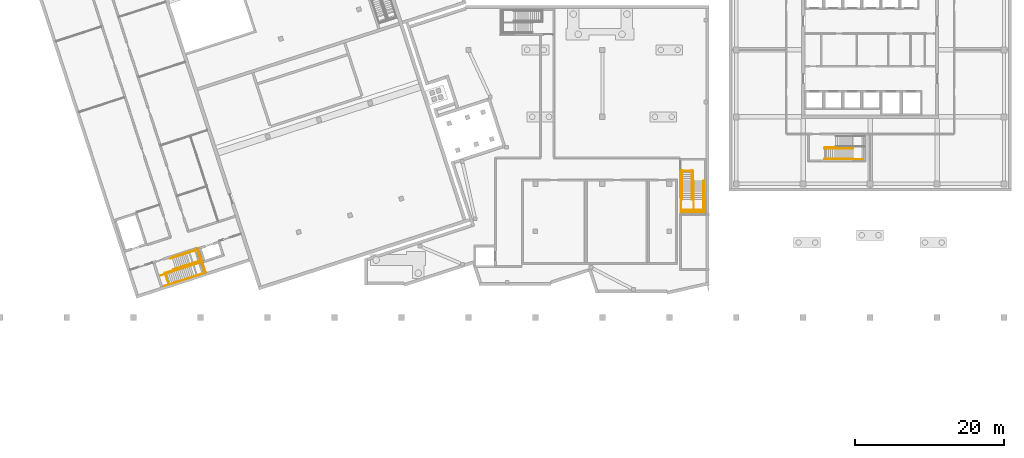
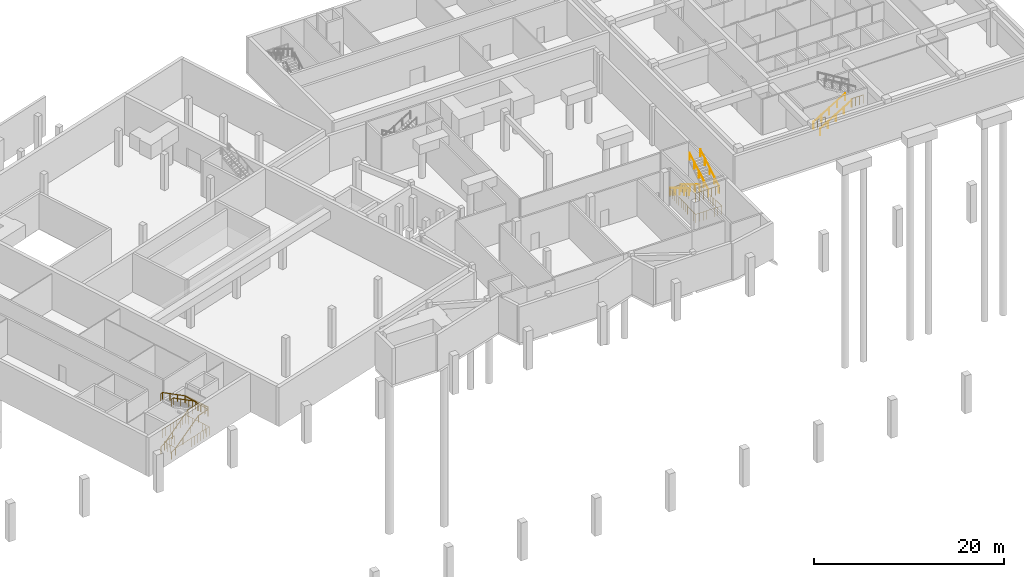
# One storey, part 12 of 15: 16 railings.
"""IFC4 building model written with IfcOpenShell, lengths in metres."""

from ifc_helpers import new_model, si_unit, direction, frame, origin, origin_2d, place, context, subcontext, project, spatial, circle, extrude, material, type_object, element, save


model = new_model("IFC4")

# Units and contexts
model_context = context("Model", 3, precision=1e-05, world=origin(), true_north=direction((0.0, 1.0)))
body_context = subcontext(model_context, "Body", "Model", "MODEL_VIEW")
ifc_project = project(units=[si_unit("LENGTHUNIT", "METRE"), si_unit("AREAUNIT", "SQUARE_METRE"), si_unit("VOLUMEUNIT", "CUBIC_METRE"), si_unit("PLANEANGLEUNIT", "RADIAN"), si_unit("MASSUNIT", "GRAM", prefix="KILO")], contexts=[model_context])

# Site, building, storey
site_placement = place(None, origin())
site = spatial("IfcSite", under=ifc_project, at=site_placement, CompositionType="ELEMENT")
building_placement = place(site_placement, origin())
building = spatial("IfcBuilding", under=site, at=building_placement, Name="Tuart Plaza Theatre", CompositionType="ELEMENT")
storey_placement = place(building_placement, frame((0.0, 0.0, -5.0)))
storey = spatial("IfcBuildingStorey", under=building, at=storey_placement, Name="B1", CompositionType="ELEMENT", Elevation=-5.0)

# Railings
ifc_material_1 = material(Name="Steel Grade C350L0", Category="steel")
railing_type_1 = type_object("IfcRailingType", Name="RAILING Guard 1100", PredefinedType="GUARDRAIL", material=ifc_material_1)
railing_1_placement = place(storey_placement, frame((37.217041015625, 43.99755859375, 0.0)))
element("IfcRailing", 1, at=railing_1_placement, inside=storey, type_object=railing_type_1, Name="GR1", PredefinedType="GUARDRAIL", context=body_context, shape_type="SweptSolid", body=[
    extrude(circle(Radius=0.02490234375, at=origin_2d()), frame((0.0, 0.0, 1.0751953125), z_axis=(0.951027146511, 0.309107370664, 0.0), x_axis=(-0.309107370664, 0.951027146511, 0.0)), (0.0, 0.0, 1.0), 1.55517578125),
    extrude(circle(Radius=0.02001953125, at=origin_2d()), origin(), (0.0, 0.0, 1.0), 1.050048828125),
    extrude(circle(Radius=0.02001953125, at=origin_2d()), frame((0.36962890625, 0.1201171875, 0.0)), (0.0, 0.0, 1.0), 1.050048828125),
    extrude(circle(Radius=0.02001953125, at=origin_2d()), frame((0.739501953125, 0.240234375, 0.0)), (0.0, 0.0, 1.0), 1.050048828125),
    extrude(circle(Radius=0.02001953125, at=origin_2d()), frame((1.109375, 0.360595703125, 0.0)), (0.0, 0.0, 1.0), 1.050048828125),
    extrude(circle(Radius=0.02001953125, at=origin_2d()), frame((1.47900390625, 0.480712890625, 0.0)), (0.0, 0.0, 1.0), 1.050048828125),
])
railing_2_placement = place(storey_placement, frame((38.181640625, 46.077392578125, 0.0)))
element("IfcRailing", 2, at=railing_2_placement, inside=storey, type_object=railing_type_1, Name="GR2", PredefinedType="GUARDRAIL", context=body_context, shape_type="SweptSolid", body=[
    extrude(circle(Radius=0.02490234375, at=origin_2d()), frame((0.0, 0.0, 1.0751953125), z_axis=(-0.316227766017, 0.948683298051, 0.0), x_axis=(-0.948683298051, -0.316227766017, 0.0)), (0.0, 0.0, 1.0), 0.02001953125),
    extrude(circle(Radius=0.02490234375, at=origin_2d()), frame((-0.00634765625, 0.01904296875, 1.0751953125), z_axis=(0.951050377365, 0.309035887419, 0.0), x_axis=(-0.309035887419, 0.951050377365, 0.0)), (0.0, 0.0, 1.0), 3.630126953125),
    extrude(circle(Radius=0.02490234375, at=origin_2d()), frame((3.446044921875, 1.140869140625, 1.0751953125), z_axis=(-0.310120496179, 0.950697258779, 0.0), x_axis=(-0.950697258779, -0.310120496179, 0.0)), (0.0, 0.0, 1.0), 0.048095703125),
    extrude(circle(Radius=0.02490234375, at=origin_2d()), frame((3.43115234375, 1.1865234375, 1.0751953125), z_axis=(0.951570542877, 0.307430483083, 0.0), x_axis=(-0.307430483083, 0.951570542877, 0.0)), (0.0, 0.0, 1.0), 0.050048828125),
    extrude(circle(Radius=0.02490234375, at=origin_2d()), frame((3.478759765625, 1.201904296875, 1.0751953125), z_axis=(0.309019462657, -0.951055714298, 0.0), x_axis=(0.951055714298, 0.309019462657, 0.0)), (0.0, 0.0, 1.0), 3.39794921875),
    extrude(circle(Radius=0.02490234375, at=origin_2d()), frame((4.52880859375, -2.02978515625, 1.0751953125), z_axis=(-0.951064536651, -0.308992309169, 0.0), x_axis=(0.308992309169, -0.951064536651, 0.0)), (0.0, 0.0, 1.0), 5.239990234375),
    extrude(circle(Radius=0.02490234375, at=origin_2d()), frame((-0.454833984375, -3.64892578125, 1.0751953125), z_axis=(-0.308982342257, 0.951067774753, 0.0), x_axis=(-0.951067774753, -0.308982342257, 0.0)), (0.0, 0.0, 1.0), 1.64990234375),
    extrude(circle(Radius=0.02001953125, at=origin_2d()), origin(), (0.0, 0.0, 1.0), 1.050048828125),
    extrude(circle(Radius=0.02001953125, at=origin_2d()), frame((-0.00634765625, 0.01904296875, 0.0)), (0.0, 0.0, 1.0), 1.050048828125),
    extrude(circle(Radius=0.02001953125, at=origin_2d()), frame((0.42529296875, 0.1591796875, 0.0)), (0.0, 0.0, 1.0), 1.050048828125),
    extrude(circle(Radius=0.02001953125, at=origin_2d()), frame((0.856689453125, 0.299560546875, 0.0)), (0.0, 0.0, 1.0), 1.050048828125),
    extrude(circle(Radius=0.02001953125, at=origin_2d()), frame((1.288330078125, 0.439697265625, 0.0)), (0.0, 0.0, 1.0), 1.050048828125),
    extrude(circle(Radius=0.02001953125, at=origin_2d()), frame((1.7197265625, 0.580078125, 0.0)), (0.0, 0.0, 1.0), 1.050048828125),
    extrude(circle(Radius=0.02001953125, at=origin_2d()), frame((2.1513671875, 0.72021484375, 0.0)), (0.0, 0.0, 1.0), 1.050048828125),
    extrude(circle(Radius=0.02001953125, at=origin_2d()), frame((2.5830078125, 0.8603515625, 0.0)), (0.0, 0.0, 1.0), 1.050048828125),
    extrude(circle(Radius=0.02001953125, at=origin_2d()), frame((3.014404296875, 1.000732421875, 0.0)), (0.0, 0.0, 1.0), 1.050048828125),
    extrude(circle(Radius=0.02001953125, at=origin_2d()), frame((3.446044921875, 1.140869140625, 0.0)), (0.0, 0.0, 1.0), 1.050048828125),
    extrude(circle(Radius=0.02001953125, at=origin_2d()), frame((3.43115234375, 1.1865234375, 0.0)), (0.0, 0.0, 1.0), 1.050048828125),
    extrude(circle(Radius=0.02001953125, at=origin_2d()), frame((3.478759765625, 1.201904296875, 0.0)), (0.0, 0.0, 1.0), 1.050048828125),
    extrude(circle(Radius=0.02001953125, at=origin_2d()), frame((3.628662109375, 0.740234375, 0.0)), (0.0, 0.0, 1.0), 1.050048828125),
    extrude(circle(Radius=0.02001953125, at=origin_2d()), frame((3.77880859375, 0.278564453125, 0.0)), (0.0, 0.0, 1.0), 1.050048828125),
    extrude(circle(Radius=0.02001953125, at=origin_2d()), frame((3.9287109375, -0.18310546875, 0.0)), (0.0, 0.0, 1.0), 1.050048828125),
    extrude(circle(Radius=0.02001953125, at=origin_2d()), frame((4.078857421875, -0.644775390625, 0.0)), (0.0, 0.0, 1.0), 1.050048828125),
    extrude(circle(Radius=0.02001953125, at=origin_2d()), frame((4.228759765625, -1.1064453125, 0.0)), (0.0, 0.0, 1.0), 1.050048828125),
    extrude(circle(Radius=0.02001953125, at=origin_2d()), frame((4.37890625, -1.568115234375, 0.0)), (0.0, 0.0, 1.0), 1.050048828125),
    extrude(circle(Radius=0.02001953125, at=origin_2d()), frame((4.52880859375, -2.02978515625, 0.0)), (0.0, 0.0, 1.0), 1.050048828125),
    extrude(circle(Radius=0.02001953125, at=origin_2d()), frame((4.07568359375, -2.177001953125, 0.0)), (0.0, 0.0, 1.0), 1.050048828125),
    extrude(circle(Radius=0.02001953125, at=origin_2d()), frame((3.622802734375, -2.32421875, 0.0)), (0.0, 0.0, 1.0), 1.050048828125),
    extrude(circle(Radius=0.02001953125, at=origin_2d()), frame((3.169677734375, -2.471435546875, 0.0)), (0.0, 0.0, 1.0), 1.050048828125),
    extrude(circle(Radius=0.02001953125, at=origin_2d()), frame((2.716552734375, -2.61865234375, 0.0)), (0.0, 0.0, 1.0), 1.050048828125),
    extrude(circle(Radius=0.02001953125, at=origin_2d()), frame((2.263427734375, -2.765869140625, 0.0)), (0.0, 0.0, 1.0), 1.050048828125),
    extrude(circle(Radius=0.02001953125, at=origin_2d()), frame((1.810546875, -2.912841796875, 0.0)), (0.0, 0.0, 1.0), 1.050048828125),
    extrude(circle(Radius=0.02001953125, at=origin_2d()), frame((1.357421875, -3.06005859375, 0.0)), (0.0, 0.0, 1.0), 1.050048828125),
    extrude(circle(Radius=0.02001953125, at=origin_2d()), frame((0.904296875, -3.207275390625, 0.0)), (0.0, 0.0, 1.0), 1.050048828125),
    extrude(circle(Radius=0.02001953125, at=origin_2d()), frame((0.451171875, -3.3544921875, 0.0)), (0.0, 0.0, 1.0), 1.050048828125),
    extrude(circle(Radius=0.02001953125, at=origin_2d()), frame((-0.001708984375, -3.501708984375, 0.0)), (0.0, 0.0, 1.0), 1.050048828125),
    extrude(circle(Radius=0.02001953125, at=origin_2d()), frame((-0.454833984375, -3.64892578125, 0.0)), (0.0, 0.0, 1.0), 1.050048828125),
    extrude(circle(Radius=0.02001953125, at=origin_2d()), frame((-0.582275390625, -3.256591796875, 0.0)), (0.0, 0.0, 1.0), 1.050048828125),
    extrude(circle(Radius=0.02001953125, at=origin_2d()), frame((-0.709716796875, -2.8642578125, 0.0)), (0.0, 0.0, 1.0), 1.050048828125),
    extrude(circle(Radius=0.02001953125, at=origin_2d()), frame((-0.837158203125, -2.47216796875, 0.0)), (0.0, 0.0, 1.0), 1.050048828125),
    extrude(circle(Radius=0.02001953125, at=origin_2d()), frame((-0.964599609375, -2.079833984375, 0.0)), (0.0, 0.0, 1.0), 1.050048828125),
])
railing_3_placement = place(storey_placement, frame((42.625732421875, 44.146240234375, 2.5)))
element("IfcRailing", 3, at=railing_3_placement, inside=storey, type_object=railing_type_1, Name="GR6", PredefinedType="GUARDRAIL", context=body_context, shape_type="SweptSolid", body=[
    extrude(circle(Radius=0.02490234375, at=origin_2d()), frame((0.0, 0.0, 1.0751953125), z_axis=(-0.308988441001, 0.951065793375, 0.0), x_axis=(-0.951065793375, -0.308988441001, 0.0)), (0.0, 0.0, 1.0), 3.10986328125),
    extrude(circle(Radius=0.02001953125, at=origin_2d()), origin(), (0.0, 0.0, 1.0), 1.050048828125),
    extrude(circle(Radius=0.02001953125, at=origin_2d()), frame((-0.13720703125, 0.422607421875, 0.0)), (0.0, 0.0, 1.0), 1.050048828125),
    extrude(circle(Radius=0.02001953125, at=origin_2d()), frame((-0.274658203125, 0.844970703125, 0.0)), (0.0, 0.0, 1.0), 1.050048828125),
    extrude(circle(Radius=0.02001953125, at=origin_2d()), frame((-0.411865234375, 1.267578125, 0.0)), (0.0, 0.0, 1.0), 1.050048828125),
    extrude(circle(Radius=0.02001953125, at=origin_2d()), frame((-0.549072265625, 1.690185546875, 0.0)), (0.0, 0.0, 1.0), 1.050048828125),
    extrude(circle(Radius=0.02001953125, at=origin_2d()), frame((-0.686279296875, 2.11279296875, 0.0)), (0.0, 0.0, 1.0), 1.050048828125),
    extrude(circle(Radius=0.02001953125, at=origin_2d()), frame((-0.82373046875, 2.53515625, 0.0)), (0.0, 0.0, 1.0), 1.050048828125),
    extrude(circle(Radius=0.02001953125, at=origin_2d()), frame((-0.9609375, 2.957763671875, 0.0)), (0.0, 0.0, 1.0), 1.050048828125),
])
railing_4_placement = place(storey_placement, frame((106.64990234375, 57.739990234375, 0.0)))
element("IfcRailing", 4, at=railing_4_placement, inside=storey, type_object=railing_type_1, Name="GR163", PredefinedType="GUARDRAIL", context=body_context, shape_type="SweptSolid", body=[
    extrude(circle(Radius=0.02490234375, at=origin_2d()), frame((0.0, 0.0, 1.0751953125), z_axis=(1.0, 0.0, 0.0), x_axis=(0.0, 1.0, 0.0)), (0.0, 0.0, 1.0), 1.525146484375),
    extrude(circle(Radius=0.02490234375, at=origin_2d()), frame((1.525146484375, 0.0, 1.0751953125), z_axis=(0.0, -1.0, 0.0), x_axis=(1.0, 0.0, 0.0)), (0.0, 0.0, 1.0), 1.35498046875),
    extrude(circle(Radius=0.02001953125, at=origin_2d()), origin(), (0.0, 0.0, 1.0), 1.050048828125),
    extrude(circle(Radius=0.02001953125, at=origin_2d()), frame((0.38134765625, 0.0, 0.0)), (0.0, 0.0, 1.0), 1.050048828125),
    extrude(circle(Radius=0.02001953125, at=origin_2d()), frame((0.7626953125, 0.0, 0.0)), (0.0, 0.0, 1.0), 1.050048828125),
    extrude(circle(Radius=0.02001953125, at=origin_2d()), frame((1.143798828125, 0.0, 0.0)), (0.0, 0.0, 1.0), 1.050048828125),
    extrude(circle(Radius=0.02001953125, at=origin_2d()), frame((1.525146484375, 0.0, 0.0)), (0.0, 0.0, 1.0), 1.050048828125),
    extrude(circle(Radius=0.02001953125, at=origin_2d()), frame((1.525146484375, -0.45166015625, 0.0)), (0.0, 0.0, 1.0), 1.050048828125),
    extrude(circle(Radius=0.02001953125, at=origin_2d()), frame((1.525146484375, -0.9033203125, 0.0)), (0.0, 0.0, 1.0), 1.050048828125),
    extrude(circle(Radius=0.02001953125, at=origin_2d()), frame((1.525146484375, -1.35498046875, 0.0)), (0.0, 0.0, 1.0), 1.050048828125),
])
railing_5_placement = place(storey_placement, frame((109.655029296875, 56.3798828125, 0.0)))
element("IfcRailing", 5, at=railing_5_placement, inside=storey, type_object=railing_type_1, Name="GR164", PredefinedType="GUARDRAIL", context=body_context, shape_type="SweptSolid", body=[
    extrude(circle(Radius=0.02490234375, at=origin_2d()), frame((0.0, 0.0, 1.0751953125), z_axis=(1.0, 0.0, 0.0), x_axis=(0.0, 1.0, 0.0)), (0.0, 0.0, 1.0), 0.044921875),
    extrude(circle(Radius=0.02490234375, at=origin_2d()), frame((0.044921875, 0.0, 1.0751953125), z_axis=(0.0, -1.0, 0.0), x_axis=(1.0, 0.0, 0.0)), (0.0, 0.0, 1.0), 2.429931640625),
    extrude(circle(Radius=0.02490234375, at=origin_2d()), frame((0.044921875, -2.429931640625, 1.0751953125), z_axis=(1.0, 0.0, 0.0), x_axis=(0.0, 1.0, 0.0)), (0.0, 0.0, 1.0), 0.050048828125),
    extrude(circle(Radius=0.02490234375, at=origin_2d()), frame((0.094970703125, -2.429931640625, 1.0751953125), z_axis=(0.0, -1.0, 0.0), x_axis=(1.0, 0.0, 0.0)), (0.0, 0.0, 1.0), 1.75),
    extrude(circle(Radius=0.02490234375, at=origin_2d()), frame((0.094970703125, -4.179931640625, 1.0751953125), z_axis=(-1.0, 0.0, 0.0), x_axis=(0.0, -1.0, 0.0)), (0.0, 0.0, 1.0), 3.14990234375),
    extrude(circle(Radius=0.02490234375, at=origin_2d()), frame((-3.054931640625, -4.179931640625, 1.0751953125), z_axis=(0.0, 1.0, 0.0), x_axis=(-1.0, 0.0, 0.0)), (0.0, 0.0, 1.0), 1.75),
    extrude(circle(Radius=0.02490234375, at=origin_2d()), frame((-3.054931640625, -2.429931640625, 1.0751953125), z_axis=(1.0, 0.0, 0.0), x_axis=(0.0, 1.0, 0.0)), (0.0, 0.0, 1.0), 0.0498046875),
    extrude(circle(Radius=0.02490234375, at=origin_2d()), frame((-3.005126953125, -2.429931640625, 1.0751953125), z_axis=(0.0, 1.0, 0.0), x_axis=(-1.0, 0.0, 0.0)), (0.0, 0.0, 1.0), 3.7900390625),
    extrude(circle(Radius=0.02001953125, at=origin_2d()), origin(), (0.0, 0.0, 1.0), 1.050048828125),
    extrude(circle(Radius=0.02001953125, at=origin_2d()), frame((0.044921875, 0.0, 0.0)), (0.0, 0.0, 1.0), 1.050048828125),
    extrude(circle(Radius=0.02001953125, at=origin_2d()), frame((0.044921875, -0.486083984375, 0.0)), (0.0, 0.0, 1.0), 1.050048828125),
    extrude(circle(Radius=0.02001953125, at=origin_2d()), frame((0.044921875, -0.971923828125, 0.0)), (0.0, 0.0, 1.0), 1.050048828125),
    extrude(circle(Radius=0.02001953125, at=origin_2d()), frame((0.044921875, -1.4580078125, 0.0)), (0.0, 0.0, 1.0), 1.050048828125),
    extrude(circle(Radius=0.02001953125, at=origin_2d()), frame((0.044921875, -1.94384765625, 0.0)), (0.0, 0.0, 1.0), 1.050048828125),
    extrude(circle(Radius=0.02001953125, at=origin_2d()), frame((0.044921875, -2.429931640625, 0.0)), (0.0, 0.0, 1.0), 1.050048828125),
    extrude(circle(Radius=0.02001953125, at=origin_2d()), frame((0.094970703125, -2.429931640625, 0.0)), (0.0, 0.0, 1.0), 1.050048828125),
    extrude(circle(Radius=0.02001953125, at=origin_2d()), frame((0.094970703125, -2.867431640625, 0.0)), (0.0, 0.0, 1.0), 1.050048828125),
    extrude(circle(Radius=0.02001953125, at=origin_2d()), frame((0.094970703125, -3.304931640625, 0.0)), (0.0, 0.0, 1.0), 1.050048828125),
    extrude(circle(Radius=0.02001953125, at=origin_2d()), frame((0.094970703125, -3.742431640625, 0.0)), (0.0, 0.0, 1.0), 1.050048828125),
    extrude(circle(Radius=0.02001953125, at=origin_2d()), frame((0.094970703125, -4.179931640625, 0.0)), (0.0, 0.0, 1.0), 1.050048828125),
    extrude(circle(Radius=0.02001953125, at=origin_2d()), frame((-0.35498046875, -4.179931640625, 0.0)), (0.0, 0.0, 1.0), 1.050048828125),
    extrude(circle(Radius=0.02001953125, at=origin_2d()), frame((-0.804931640625, -4.179931640625, 0.0)), (0.0, 0.0, 1.0), 1.050048828125),
    extrude(circle(Radius=0.02001953125, at=origin_2d()), frame((-1.2548828125, -4.179931640625, 0.0)), (0.0, 0.0, 1.0), 1.050048828125),
    extrude(circle(Radius=0.02001953125, at=origin_2d()), frame((-1.705078125, -4.179931640625, 0.0)), (0.0, 0.0, 1.0), 1.050048828125),
    extrude(circle(Radius=0.02001953125, at=origin_2d()), frame((-2.155029296875, -4.179931640625, 0.0)), (0.0, 0.0, 1.0), 1.050048828125),
    extrude(circle(Radius=0.02001953125, at=origin_2d()), frame((-2.60498046875, -4.179931640625, 0.0)), (0.0, 0.0, 1.0), 1.050048828125),
    extrude(circle(Radius=0.02001953125, at=origin_2d()), frame((-3.054931640625, -4.179931640625, 0.0)), (0.0, 0.0, 1.0), 1.050048828125),
    extrude(circle(Radius=0.02001953125, at=origin_2d()), frame((-3.054931640625, -3.742431640625, 0.0)), (0.0, 0.0, 1.0), 1.050048828125),
    extrude(circle(Radius=0.02001953125, at=origin_2d()), frame((-3.054931640625, -3.304931640625, 0.0)), (0.0, 0.0, 1.0), 1.050048828125),
    extrude(circle(Radius=0.02001953125, at=origin_2d()), frame((-3.054931640625, -2.867431640625, 0.0)), (0.0, 0.0, 1.0), 1.050048828125),
    extrude(circle(Radius=0.02001953125, at=origin_2d()), frame((-3.054931640625, -2.429931640625, 0.0)), (0.0, 0.0, 1.0), 1.050048828125),
    extrude(circle(Radius=0.02001953125, at=origin_2d()), frame((-3.005126953125, -2.429931640625, 0.0)), (0.0, 0.0, 1.0), 1.050048828125),
    extrude(circle(Radius=0.02001953125, at=origin_2d()), frame((-3.005126953125, -1.9560546875, 0.0)), (0.0, 0.0, 1.0), 1.050048828125),
    extrude(circle(Radius=0.02001953125, at=origin_2d()), frame((-3.005126953125, -1.482421875, 0.0)), (0.0, 0.0, 1.0), 1.050048828125),
    extrude(circle(Radius=0.02001953125, at=origin_2d()), frame((-3.005126953125, -1.0087890625, 0.0)), (0.0, 0.0, 1.0), 1.050048828125),
    extrude(circle(Radius=0.02001953125, at=origin_2d()), frame((-3.005126953125, -0.534912109375, 0.0)), (0.0, 0.0, 1.0), 1.050048828125),
    extrude(circle(Radius=0.02001953125, at=origin_2d()), frame((-3.005126953125, -0.06103515625, 0.0)), (0.0, 0.0, 1.0), 1.050048828125),
    extrude(circle(Radius=0.02001953125, at=origin_2d()), frame((-3.005126953125, 0.41259765625, 0.0)), (0.0, 0.0, 1.0), 1.050048828125),
    extrude(circle(Radius=0.02001953125, at=origin_2d()), frame((-3.005126953125, 0.88623046875, 0.0)), (0.0, 0.0, 1.0), 1.050048828125),
    extrude(circle(Radius=0.02001953125, at=origin_2d()), frame((-3.005126953125, 1.360107421875, 0.0)), (0.0, 0.0, 1.0), 1.050048828125),
])
railing_6_placement = place(storey_placement, frame((106.719970703125, 52.469970703125, 2.5)))
element("IfcRailing", 6, at=railing_6_placement, inside=storey, type_object=railing_type_1, Name="GR168", PredefinedType="GUARDRAIL", context=body_context, shape_type="SweptSolid", body=[
    extrude(circle(Radius=0.02490234375, at=origin_2d()), frame((0.0, 0.0, 1.0751953125), z_axis=(1.0, 0.0, 0.0), x_axis=(0.0, 1.0, 0.0)), (0.0, 0.0, 1.0), 2.909912109375),
    extrude(circle(Radius=0.02001953125, at=origin_2d()), origin(), (0.0, 0.0, 1.0), 1.050048828125),
    extrude(circle(Radius=0.02001953125, at=origin_2d()), frame((0.48486328125, 0.0, 0.0)), (0.0, 0.0, 1.0), 1.050048828125),
    extrude(circle(Radius=0.02001953125, at=origin_2d()), frame((0.969970703125, 0.0, 0.0)), (0.0, 0.0, 1.0), 1.050048828125),
    extrude(circle(Radius=0.02001953125, at=origin_2d()), frame((1.455078125, 0.0, 0.0)), (0.0, 0.0, 1.0), 1.050048828125),
    extrude(circle(Radius=0.02001953125, at=origin_2d()), frame((1.93994140625, 0.0, 0.0)), (0.0, 0.0, 1.0), 1.050048828125),
    extrude(circle(Radius=0.02001953125, at=origin_2d()), frame((2.4248046875, 0.0, 0.0)), (0.0, 0.0, 1.0), 1.050048828125),
    extrude(circle(Radius=0.02001953125, at=origin_2d()), frame((2.909912109375, 0.0, 0.0)), (0.0, 0.0, 1.0), 1.050048828125),
])
railing_7_placement = place(storey_placement, frame((125.929931640625, 60.875, 0.0)))
element("IfcRailing", 7, at=railing_7_placement, inside=storey, type_object=railing_type_1, Name="GR437", PredefinedType="GUARDRAIL", context=body_context, shape_type="SweptSolid", body=[
    extrude(circle(Radius=0.02490234375, at=origin_2d()), frame((0.0, 0.0, 1.0751953125), z_axis=(1.0, 0.0, 0.0), x_axis=(0.0, 1.0, 0.0)), (0.0, 0.0, 1.0), 1.455078125),
    extrude(circle(Radius=0.02001953125, at=origin_2d()), origin(), (0.0, 0.0, 1.0), 1.050048828125),
    extrude(circle(Radius=0.02001953125, at=origin_2d()), frame((0.485107421875, 0.0, 0.0)), (0.0, 0.0, 1.0), 1.050048828125),
    extrude(circle(Radius=0.02001953125, at=origin_2d()), frame((0.969970703125, 0.0, 0.0)), (0.0, 0.0, 1.0), 1.050048828125),
    extrude(circle(Radius=0.02001953125, at=origin_2d()), frame((1.455078125, 0.0, 0.0)), (0.0, 0.0, 1.0), 1.050048828125),
])
railing_8_placement = place(storey_placement, frame((129.699951171875, 59.300048828125, 2.5)))
element("IfcRailing", 8, at=railing_8_placement, inside=storey, type_object=railing_type_1, Name="GR443", PredefinedType="GUARDRAIL", context=body_context, shape_type="SweptSolid", body=[
    extrude(circle(Radius=0.02490234375, at=origin_2d()), frame((0.0, 0.0, 1.0751953125), z_axis=(1.0, 0.0, 0.0), x_axis=(0.0, 1.0, 0.0)), (0.0, 0.0, 1.0), 1.380126953125),
    extrude(circle(Radius=0.02001953125, at=origin_2d()), origin(), (0.0, 0.0, 1.0), 1.050048828125),
    extrude(circle(Radius=0.02001953125, at=origin_2d()), frame((0.4599609375, 0.0, 0.0)), (0.0, 0.0, 1.0), 1.050048828125),
    extrude(circle(Radius=0.02001953125, at=origin_2d()), frame((0.920166015625, 0.0, 0.0)), (0.0, 0.0, 1.0), 1.050048828125),
    extrude(circle(Radius=0.02001953125, at=origin_2d()), frame((1.380126953125, 0.0, 0.0)), (0.0, 0.0, 1.0), 1.050048828125),
])
ifc_material_2 = material(Name="Steel Grade C350L0", Category="steel")
railing_type_2 = type_object("IfcRailingType", Name="RAILING Handrail 900", PredefinedType="HANDRAIL", material=ifc_material_2)
railing_9_placement = place(storey_placement, frame((36.6279296875, 43.6748046875, 0.0)))
element("IfcRailing", 9, at=railing_9_placement, inside=storey, type_object=railing_type_2, Name="HR3", PredefinedType="HANDRAIL", context=body_context, shape_type="SweptSolid", body=[
    extrude(circle(Radius=0.0224609375, at=origin_2d()), frame((0.0, 0.0, 0.87744140625), z_axis=(0.91641792704, 0.297502654672, 0.267713192544), x_axis=(-0.308773297186, 0.951135663796, 0.0)), (0.0, 0.0, 1.0), 0.622802734375),
    extrude(circle(Radius=0.0224609375, at=origin_2d()), frame((0.57080078125, 0.185302734375, 1.044189453125), z_axis=(0.80065959676, 0.260204487049, 0.539664557884), x_axis=(-0.309075455797, 0.951037519041, 0.0)), (0.0, 0.0, 1.0), 4.323486328125),
    extrude(circle(Radius=0.0224609375, at=origin_2d()), frame((4.032470703125, 1.310302734375, 3.37744140625), z_axis=(0.951096241278, 0.308894706699, 0.0), x_axis=(-0.308894706699, 0.951096241278, 0.0)), (0.0, 0.0, 1.0), 1.5),
    extrude(circle(Radius=0.0224609375, at=origin_2d()), frame((5.459228515625, 1.773681640625, 3.37744140625), z_axis=(-0.227464384092, 0.698896877306, 0.678087832704), x_axis=(-0.95090484413, -0.309483404096, 0.0)), (0.0, 0.0, 1.0), 0.34033203125),
    extrude(circle(Radius=0.0224609375, at=origin_2d()), frame((5.3818359375, 2.011474609375, 3.608154296875), z_axis=(-0.800661699709, -0.260171506628, 0.539677338564), x_axis=(0.309039288522, -0.951049272199, 0.0)), (0.0, 0.0, 1.0), 4.204833984375),
    extrude(circle(Radius=0.0224609375, at=origin_2d()), frame((2.01513671875, 0.91748046875, 5.87744140625), z_axis=(-0.951255083436, -0.308405198137, 0.0), x_axis=(0.308405198137, -0.951255083436, 0.0)), (0.0, 0.0, 1.0), 0.300048828125),
    extrude(circle(Radius=0.01513671875, at=origin_2d()), origin(), (0.0, 0.0, 1.0), 0.85498046875),
    extrude(circle(Radius=0.01513671875, at=origin_2d()), frame((0.57080078125, 0.185302734375, 0.166748046875)), (0.0, 0.0, 1.0), 0.85498046875),
    extrude(circle(Radius=0.01513671875, at=origin_2d()), frame((1.724609375, 0.560302734375, 0.944580078125)), (0.0, 0.0, 1.0), 0.85498046875),
    extrude(circle(Radius=0.01513671875, at=origin_2d()), frame((2.878662109375, 0.935302734375, 1.72216796875)), (0.0, 0.0, 1.0), 0.85498046875),
    extrude(circle(Radius=0.01513671875, at=origin_2d()), frame((4.032470703125, 1.310302734375, 2.5)), (0.0, 0.0, 1.0), 0.85498046875),
    extrude(circle(Radius=0.01513671875, at=origin_2d()), frame((4.745849609375, 1.5419921875, 2.5)), (0.0, 0.0, 1.0), 0.85498046875),
    extrude(circle(Radius=0.01513671875, at=origin_2d()), frame((5.459228515625, 1.773681640625, 2.5)), (0.0, 0.0, 1.0), 0.85498046875),
    extrude(circle(Radius=0.01513671875, at=origin_2d()), frame((5.3818359375, 2.011474609375, 2.730712890625)), (0.0, 0.0, 1.0), 0.85498046875),
    extrude(circle(Radius=0.01513671875, at=origin_2d()), frame((4.259521484375, 1.646728515625, 3.487060546875)), (0.0, 0.0, 1.0), 0.85498046875),
    extrude(circle(Radius=0.01513671875, at=origin_2d()), frame((3.137451171875, 1.2822265625, 4.24365234375)), (0.0, 0.0, 1.0), 0.85498046875),
    extrude(circle(Radius=0.01513671875, at=origin_2d()), frame((2.01513671875, 0.91748046875, 5.0)), (0.0, 0.0, 1.0), 0.85498046875),
    extrude(circle(Radius=0.01513671875, at=origin_2d()), frame((1.729736328125, 0.824951171875, 5.0)), (0.0, 0.0, 1.0), 0.85498046875),
])
railing_10_placement = place(storey_placement, frame((37.091552734375, 42.248291015625, 0.0)))
element("IfcRailing", 10, at=railing_10_placement, inside=storey, type_object=railing_type_2, Name="HR4", PredefinedType="HANDRAIL", context=body_context, shape_type="SweptSolid", body=[
    extrude(circle(Radius=0.0224609375, at=origin_2d()), frame((0.0, 0.0, 0.87744140625), z_axis=(0.916355108697, 0.297609553916, 0.267809387779), x_axis=(-0.308892816854, 0.951096855055, 0.0)), (0.0, 0.0, 1.0), 0.62255859375),
    extrude(circle(Radius=0.0224609375, at=origin_2d()), frame((0.570556640625, 0.185302734375, 1.044189453125), z_axis=(0.80069162673, 0.260140079291, 0.539648087211), x_axis=(-0.308995076085, 0.9510636377, 0.0)), (0.0, 0.0, 1.0), 4.32373046875),
    extrude(circle(Radius=0.0224609375, at=origin_2d()), frame((4.032470703125, 1.31005859375, 3.37744140625), z_axis=(0.951032872603, 0.309089752708, 0.0), x_axis=(-0.309089752708, 0.951032872603, 0.0)), (0.0, 0.0, 1.0), 1.5),
    extrude(circle(Radius=0.0224609375, at=origin_2d()), frame((5.458984375, 1.773681640625, 3.37744140625), z_axis=(-0.308208462342, 0.948679585037, 0.070813760494), x_axis=(-0.951067187383, -0.308984150214, 0.0)), (0.0, 0.0, 1.0), 3.258056640625),
    extrude(circle(Radius=0.0224609375, at=origin_2d()), frame((4.454833984375, 4.864501953125, 3.608154296875), z_axis=(-0.800694631505, -0.260105282368, 0.5396604017), x_axis=(0.308956641019, -0.951076124172, 0.0)), (0.0, 0.0, 1.0), 4.205078125),
    extrude(circle(Radius=0.0224609375, at=origin_2d()), frame((1.087890625, 3.770751953125, 5.87744140625), z_axis=(-0.950938293792, -0.309380609282, 0.0), x_axis=(0.309380609282, -0.950938293792, 0.0)), (0.0, 0.0, 1.0), 0.2998046875),
    extrude(circle(Radius=0.01513671875, at=origin_2d()), origin(), (0.0, 0.0, 1.0), 0.85498046875),
    extrude(circle(Radius=0.01513671875, at=origin_2d()), frame((0.570556640625, 0.185302734375, 0.166748046875)), (0.0, 0.0, 1.0), 0.85498046875),
    extrude(circle(Radius=0.01513671875, at=origin_2d()), frame((1.724609375, 0.560302734375, 0.944580078125)), (0.0, 0.0, 1.0), 0.85498046875),
    extrude(circle(Radius=0.01513671875, at=origin_2d()), frame((2.87841796875, 0.93505859375, 1.72216796875)), (0.0, 0.0, 1.0), 0.85498046875),
    extrude(circle(Radius=0.01513671875, at=origin_2d()), frame((4.032470703125, 1.31005859375, 2.5)), (0.0, 0.0, 1.0), 0.85498046875),
    extrude(circle(Radius=0.01513671875, at=origin_2d()), frame((5.458984375, 1.773681640625, 2.5)), (0.0, 0.0, 1.0), 0.85498046875),
    extrude(circle(Radius=0.01513671875, at=origin_2d()), frame((5.124267578125, 2.803955078125, 2.576904296875)), (0.0, 0.0, 1.0), 0.85498046875),
    extrude(circle(Radius=0.01513671875, at=origin_2d()), frame((4.78955078125, 3.834228515625, 2.65380859375)), (0.0, 0.0, 1.0), 0.85498046875),
    extrude(circle(Radius=0.01513671875, at=origin_2d()), frame((4.454833984375, 4.864501953125, 2.730712890625)), (0.0, 0.0, 1.0), 0.85498046875),
    extrude(circle(Radius=0.01513671875, at=origin_2d()), frame((3.33251953125, 4.5, 3.487060546875)), (0.0, 0.0, 1.0), 0.85498046875),
    extrude(circle(Radius=0.01513671875, at=origin_2d()), frame((2.210205078125, 4.13525390625, 4.24365234375)), (0.0, 0.0, 1.0), 0.85498046875),
    extrude(circle(Radius=0.01513671875, at=origin_2d()), frame((1.087890625, 3.770751953125, 5.0)), (0.0, 0.0, 1.0), 0.85498046875),
    extrude(circle(Radius=0.01513671875, at=origin_2d()), frame((0.802734375, 3.677978515625, 5.0)), (0.0, 0.0, 1.0), 0.85498046875),
])
for number, where, name in (
    (11, (108.050048828125, 57.800048828125, 0.166748046875), "HR99"),
    (12, (106.75, 57.800048828125, 0.166748046875), "HR100"),
):
    element("IfcRailing", number, at=place(storey_placement, frame(where)), inside=storey, type_object=railing_type_2, Name=name, PredefinedType="HANDRAIL", context=body_context, shape_type="SweptSolid", body=[
        extrude(circle(Radius=0.0224609375, at=origin_2d()), frame((0.0, 0.0, 0.87744140625), z_axis=(0.0, -0.859310244771, 0.511454693235), x_axis=(1.0, 0.0, 0.0)), (0.0, 0.0, 1.0), 4.56201171875),
        extrude(circle(Radius=0.01513671875, at=origin_2d()), origin(), (0.0, 0.0, 1.0), 0.85498046875),
        extrude(circle(Radius=0.01513671875, at=origin_2d()), frame((0.0, -0.97998046875, 0.583251953125)), (0.0, 0.0, 1.0), 0.85498046875),
        extrude(circle(Radius=0.01513671875, at=origin_2d()), frame((0.0, -1.9599609375, 1.16650390625)), (0.0, 0.0, 1.0), 0.85498046875),
        extrude(circle(Radius=0.01513671875, at=origin_2d()), frame((0.0, -2.940185546875, 1.75)), (0.0, 0.0, 1.0), 0.85498046875),
        extrude(circle(Radius=0.01513671875, at=origin_2d()), frame((0.0, -3.920166015625, 2.333251953125)), (0.0, 0.0, 1.0), 0.85498046875),
    ])
for number, where, name in (
    (13, (108.300048828125, 52.47998046875, 2.666748046875), "HR101"),
    (14, (109.60009765625, 52.47998046875, 2.666748046875), "HR102"),
):
    element("IfcRailing", number, at=place(storey_placement, frame(where)), inside=storey, type_object=railing_type_2, Name=name, PredefinedType="HANDRAIL", context=body_context, shape_type="SweptSolid", body=[
        extrude(circle(Radius=0.0224609375, at=origin_2d()), frame((0.0, 0.0, 0.87744140625), z_axis=(0.0, 0.859296244711, 0.511478214419), x_axis=(-1.0, 0.0, 0.0)), (0.0, 0.0, 1.0), 4.561767578125),
        extrude(circle(Radius=0.01513671875, at=origin_2d()), origin(), (0.0, 0.0, 1.0), 0.85498046875),
        extrude(circle(Radius=0.01513671875, at=origin_2d()), frame((0.0, 0.97998046875, 0.583251953125)), (0.0, 0.0, 1.0), 0.85498046875),
        extrude(circle(Radius=0.01513671875, at=origin_2d()), frame((0.0, 1.9599609375, 1.16650390625)), (0.0, 0.0, 1.0), 0.85498046875),
        extrude(circle(Radius=0.01513671875, at=origin_2d()), frame((0.0, 2.93994140625, 1.75)), (0.0, 0.0, 1.0), 0.85498046875),
        extrude(circle(Radius=0.01513671875, at=origin_2d()), frame((0.0, 3.919921875, 2.333251953125)), (0.0, 0.0, 1.0), 0.85498046875),
    ])
for number, where, name in (
    (15, (125.8701171875, 60.75, 0.166748046875), "HR311"),
    (16, (125.8701171875, 59.35009765625, 0.166748046875), "HR312"),
):
    element("IfcRailing", number, at=place(storey_placement, frame(where)), inside=storey, type_object=railing_type_2, Name=name, PredefinedType="HANDRAIL", context=body_context, shape_type="SweptSolid", body=[
        extrude(circle(Radius=0.0224609375, at=origin_2d()), frame((0.0, 0.0, 0.87744140625), z_axis=(0.855197103107, 0.0, 0.518302918029), x_axis=(0.0, 1.0, 0.0)), (0.0, 0.0, 1.0), 4.501708984375),
        extrude(circle(Radius=0.01513671875, at=origin_2d()), origin(), (0.0, 0.0, 1.0), 0.85498046875),
        extrude(circle(Radius=0.01513671875, at=origin_2d()), frame((0.96240234375, 0.0, 0.583251953125)), (0.0, 0.0, 1.0), 0.85498046875),
        extrude(circle(Radius=0.01513671875, at=origin_2d()), frame((1.9248046875, 0.0, 1.16650390625)), (0.0, 0.0, 1.0), 0.85498046875),
        extrude(circle(Radius=0.01513671875, at=origin_2d()), frame((2.887451171875, 0.0, 1.75)), (0.0, 0.0, 1.0), 0.85498046875),
        extrude(circle(Radius=0.01513671875, at=origin_2d()), frame((3.849853515625, 0.0, 2.333251953125)), (0.0, 0.0, 1.0), 0.85498046875),
    ])

save(model, "model.ifc")
